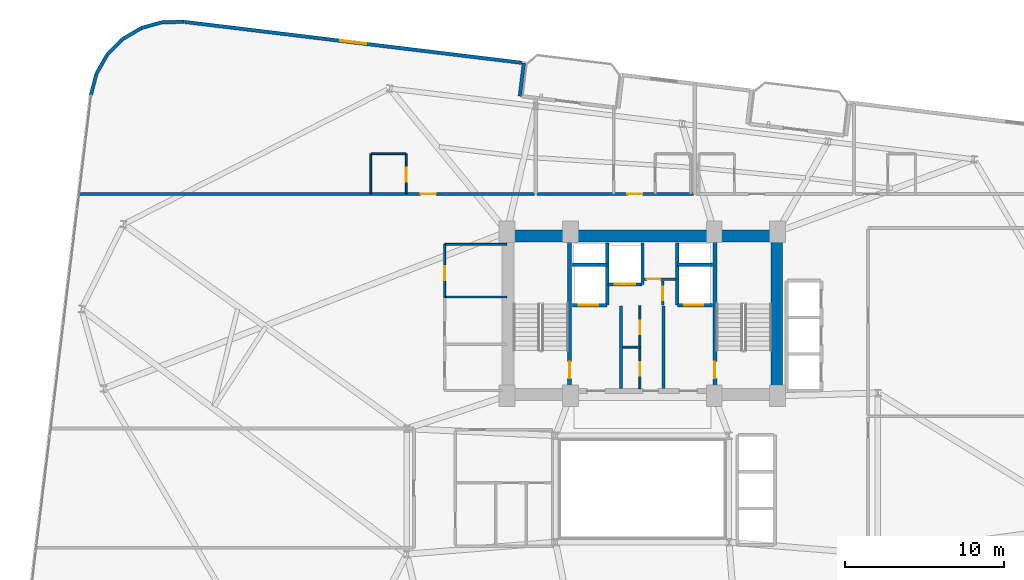
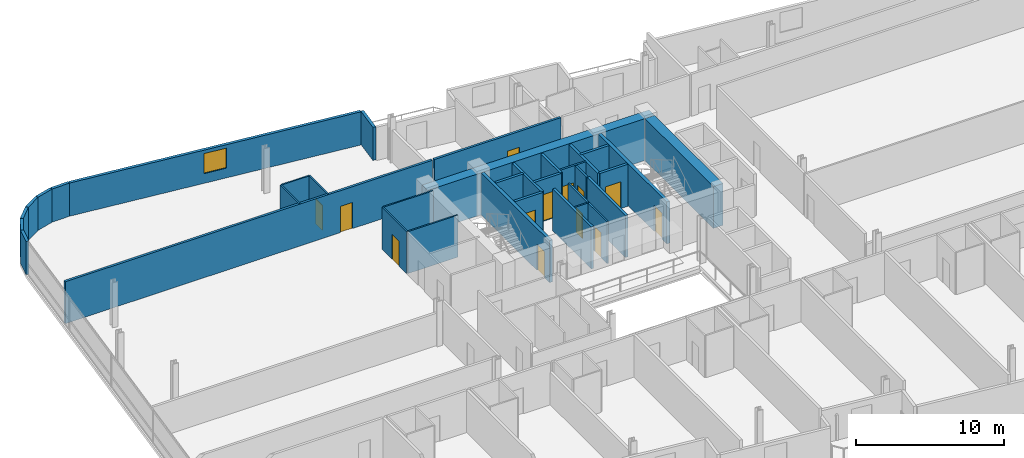
# One storey, part 22 of 26: 34 walls, 13 doors, 1 window, 14 openings.
"""IFC4 building model written with IfcOpenShell, lengths in metres."""

from ifc_helpers import new_model, si_unit, direction, frame, frame_2d, origin, place, context, subcontext, project, spatial, rectangle, extrude, material, layer, layer_set, type_object, element, fill, save


model = new_model("IFC4")

# Units and contexts
model_context = context("Model", 3, precision=1e-05, world=origin(), true_north=direction((0.0, 1.0)))
body_context = subcontext(model_context, "Body", "Model", "MODEL_VIEW")
ifc_project = project(units=[si_unit("LENGTHUNIT", "METRE"), si_unit("AREAUNIT", "SQUARE_METRE"), si_unit("VOLUMEUNIT", "CUBIC_METRE"), si_unit("PLANEANGLEUNIT", "RADIAN"), si_unit("MASSUNIT", "GRAM", prefix="KILO")], contexts=[model_context])

# Site, building, storey
site_placement = place(None, origin())
site = spatial("IfcSite", under=ifc_project, at=site_placement, CompositionType="ELEMENT")
building_placement = place(site_placement, origin())
building = spatial("IfcBuilding", under=site, at=building_placement, Name="Varnelok Gate Tower", CompositionType="ELEMENT")
storey_placement = place(building_placement, frame((0.0, 0.0, 129.10009765625)))
storey = spatial("IfcBuildingStorey", under=building, at=storey_placement, Name="L32", CompositionType="ELEMENT", Elevation=129.10009765625)

# Wall
ifc_material_1 = material(Name="Concrete C45/55", Category="concrete")
ifc_layer_1 = layer(ifc_material_1, 0.219970703125)
ifc_layer_set_1 = layer_set([ifc_layer_1], Name="Concrete C45/55")
wall_type_1 = type_object("IfcWallType", Name="EW-BALC-220", PredefinedType="SOLIDWALL", material=ifc_layer_set_1)
wall_1_placement = place(storey_placement, frame((31.50390625, 47.568115234375, 0.0), z_axis=(0.0, 0.0, 1.0), x_axis=(0.120341784665, 0.992732519294, 0.0)))
element("IfcWall", 1, at=wall_1_placement, inside=storey, type_object=wall_type_1, Name="L32 Perimeter Facade Closure Wall 31", PredefinedType="SOLIDWALL", context=body_context, shape_type="SweptSolid", body=[
    extrude(rectangle(XDim=2.099853515625, YDim=0.219970703125, at=frame_2d((1.0498046875, 0.0))), origin(), (0.0, 0.0, 1.0), 2.72998046875),
])

# Wall, opening, window
wall_2_placement = place(storey_placement, frame((31.632568359375, 49.667724609375, 0.0), z_axis=(0.0, 0.0, 1.0), x_axis=(-0.992731670483, 0.120348786531, 0.0)))
wall_2 = element("IfcWall", 2, at=wall_2_placement, inside=storey, type_object=wall_type_1, Name="L32 Perimeter Facade Closure Wall 32", PredefinedType="SOLIDWALL", context=body_context, shape_type="SweptSolid", body=[
    extrude(rectangle(XDim=21.34716796875, YDim=0.219970703125, at=frame_2d((10.673583984375, 0.0))), origin(), (0.0, 0.0, 1.0), 2.72998046875),
])
opening_1_placement = place(wall_2_placement, frame((9.8486328125, 0.0, 0.800048828125)))
opening_1 = element("IfcOpeningElement", 3, at=opening_1_placement, cuts=wall_2, Name="Opening WN3", PredefinedType="OPENING", context=body_context, shape_type="SweptSolid", body=[
    extrude(rectangle(XDim=1.64990234375, YDim=1.64990234375, at=frame_2d((0.824951171875, 0.824951171875))), frame((0.0, 0.119873046875, 0.0), z_axis=(0.0, -1.0, 0.0), x_axis=(1.0, 0.0, 0.0)), (0.0, 0.0, 1.0), 0.239990234375),
])
ifc_material_2 = material(Name="Low-E Laminated Double Glazing IGU", Category="glass")
window_type = type_object("IfcWindowType", Name="WN-HTL-1650", PartitioningType="SINGLE_PANEL", PredefinedType="WINDOW", material=ifc_material_2)
window_placement = place(opening_1_placement, origin())
window = element("IfcWindow", 4, at=window_placement, inside=storey, type_object=window_type, Name="L32 Perimeter Vision Window 32", OverallHeight=1.64990234375, OverallWidth=1.64990234375, PartitioningType="SINGLE_PANEL", PredefinedType="WINDOW", context=body_context, shape_type="SweptSolid", body=[
    extrude(rectangle(XDim=1.64990234375, YDim=1.64990234375, at=frame_2d((0.824951171875, 0.824951171875))), frame((0.0, 0.030029296875, 0.0), z_axis=(0.0, -1.0, 0.0), x_axis=(1.0, 0.0, 0.0)), (0.0, 0.0, 1.0), 0.06005859375),
])
fill(opening_1, window)

# Walls
wall_3_placement = place(storey_placement, frame((10.41552734375, 52.236572265625, 0.0), z_axis=(0.0, 0.0, 1.0), x_axis=(-0.999947718056, -0.010225514878, 0.0)))
element("IfcWall", 5, at=wall_3_placement, inside=storey, type_object=wall_type_1, Name="L32 Perimeter Facade Closure Wall 33", PredefinedType="SOLIDWALL", context=body_context, shape_type="SweptSolid", body=[
    extrude(rectangle(XDim=1.36083984375, YDim=0.219970703125, at=frame_2d((0.680419921875, 0.0))), origin(), (0.0, 0.0, 1.0), 2.72998046875),
])
for number, where, z_axis, x_axis, name in (
    (6, (9.030517578125, 52.2158203125, 0.0), (0.0, 0.0, 1.0), (-0.963227802828, -0.268686061898, 0.0), "L32 Perimeter Facade Closure Wall 34"),
    (7, (7.70556640625, 51.839599609375, 0.0), (0.0, 0.0, 1.0), (-0.860739665837, -0.509045408244, 0.0), "L32 Perimeter Facade Closure Wall 35"),
):
    element("IfcWall", number, at=place(storey_placement, frame(where, z_axis=z_axis, x_axis=x_axis)), inside=storey, type_object=wall_type_1, Name=name, PredefinedType="SOLIDWALL", context=body_context, shape_type="SweptSolid", body=[
        extrude(rectangle(XDim=1.35302734375, YDim=0.219970703125, at=frame_2d((0.676513671875, 0.0))), origin(), (0.0, 0.0, 1.0), 2.72998046875),
    ])
wall_4_placement = place(storey_placement, frame((6.5234375, 51.13330078125, 0.0), z_axis=(0.0, 0.0, 1.0), x_axis=(-0.699762925925, -0.714375144795, 0.0)))
element("IfcWall", 8, at=wall_4_placement, inside=storey, type_object=wall_type_1, Name="L32 Perimeter Facade Closure Wall 36", PredefinedType="SOLIDWALL", context=body_context, shape_type="SweptSolid", body=[
    extrude(rectangle(XDim=1.353271484375, YDim=0.219970703125, at=frame_2d((0.6767578125, 0.0))), origin(), (0.0, 0.0, 1.0), 2.72998046875),
])
wall_5_placement = place(storey_placement, frame((5.564208984375, 50.144775390625, 0.0), z_axis=(0.0, 0.0, 1.0), x_axis=(-0.491117621399, -0.871093268227, 0.0)))
element("IfcWall", 9, at=wall_5_placement, inside=storey, type_object=wall_type_1, Name="L32 Perimeter Facade Closure Wall 37", PredefinedType="SOLIDWALL", context=body_context, shape_type="SweptSolid", body=[
    extrude(rectangle(XDim=1.35302734375, YDim=0.219970703125, at=frame_2d((0.676513671875, 0.0))), origin(), (0.0, 0.0, 1.0), 2.72998046875),
])
wall_6_placement = place(storey_placement, frame((4.8935546875, 48.94189453125, 0.0), z_axis=(0.0, 0.0, 1.0), x_axis=(-0.248857256909, -0.968540172468, 0.0)))
element("IfcWall", 10, at=wall_6_placement, inside=storey, type_object=wall_type_1, Name="L32 Perimeter Facade Closure Wall 38", PredefinedType="SOLIDWALL", context=body_context, shape_type="SweptSolid", body=[
    extrude(rectangle(XDim=1.352783203125, YDim=0.219970703125, at=frame_2d((0.67626953125, 0.0))), origin(), (0.0, 0.0, 1.0), 2.72998046875),
])

# Wall, opening, door
ifc_material_3 = material(Name="Gypsum Plasterboard Acoustic Partition", Category="gypsum")
ifc_layer_2 = layer(ifc_material_3, 0.179931640625)
ifc_layer_set_2 = layer_set([ifc_layer_2], Name="Gypsum Plasterboard Acoustic Partition")
wall_type_2 = type_object("IfcWallType", Name="PW-CORR-180", PredefinedType="PARTITIONING", material=ifc_layer_set_2)
wall_7_placement = place(storey_placement, frame((3.864013671875, 41.429931640625, 0.0), z_axis=(0.0, 0.0, 1.0), x_axis=(1.0, 0.0, 0.0)))
wall_7 = element("IfcWall", 11, at=wall_7_placement, inside=storey, type_object=wall_type_2, Name="Interior Partition", PredefinedType="PARTITIONING", context=body_context, shape_type="SweptSolid", body=[
    extrude(rectangle(XDim=28.555908203125, YDim=0.179931640625, at=frame_2d((14.27783203125, 0.0))), origin(), (0.0, 0.0, 1.0), 3.449951171875),
])
opening_2_placement = place(wall_7_placement, frame((21.4091796875, 0.0, 0.0)))
opening_2 = element("IfcOpeningElement", 12, at=opening_2_placement, cuts=wall_7, Name="Opening D-HT", PredefinedType="OPENING", context=body_context, shape_type="SweptSolid", body=[
    extrude(rectangle(XDim=0.949951171875, YDim=2.14990234375, at=frame_2d((0.47509765625, 1.074951171875))), frame((0.0, 0.099853515625, 0.0), z_axis=(0.0, -1.0, 0.0), x_axis=(1.0, 0.0, 0.0)), (0.0, 0.0, 1.0), 0.199951171875),
])
ifc_material_4 = material(Name="Engineered Hardwood Timber", Category="wood")
door_type_1 = type_object("IfcDoorType", Name="DR-HTL-950", OperationType="NOTDEFINED", PredefinedType="DOOR", material=ifc_material_4)
door_1_placement = place(opening_2_placement, origin())
door_1 = element("IfcDoor", 13, at=door_1_placement, inside=storey, type_object=door_type_1, Name="L32 Guest Room 10 Entrance Door", OperationType="SINGLE_SWING_LEFT", OverallHeight=2.14990234375, OverallWidth=0.949951171875, PredefinedType="DOOR", context=body_context, shape_type="SweptSolid", body=[
    extrude(rectangle(XDim=0.949951171875, YDim=2.14990234375, at=frame_2d((0.47509765625, 1.074951171875))), frame((0.0, 0.02490234375, 0.0), z_axis=(0.0, -1.0, 0.0), x_axis=(1.0, 0.0, 0.0)), (0.0, 0.0, 1.0), 0.050048828125),
])
fill(opening_2, door_1)

wall_8_placement = place(storey_placement, frame((32.580078125, 41.429931640625, 0.0), z_axis=(0.0, 0.0, 1.0), x_axis=(1.0, 0.0, 0.0)))
wall_8 = element("IfcWall", 14, at=wall_8_placement, inside=storey, type_object=wall_type_2, Name="Interior Partition", PredefinedType="PARTITIONING", context=body_context, shape_type="SweptSolid", body=[
    extrude(rectangle(XDim=9.83984375, YDim=0.179931640625, at=frame_2d((4.919921875, 0.0))), origin(), (0.0, 0.0, 1.0), 3.449951171875),
])
opening_3_placement = place(wall_8_placement, frame((5.679931640625, 0.0, 0.0)))
opening_3 = element("IfcOpeningElement", 15, at=opening_3_placement, cuts=wall_8, Name="Opening D-HT", PredefinedType="OPENING", context=body_context, shape_type="SweptSolid", body=[
    extrude(rectangle(XDim=0.949951171875, YDim=2.14990234375, at=frame_2d((0.47509765625, 1.074951171875))), frame((0.0, 0.099853515625, 0.0), z_axis=(0.0, -1.0, 0.0), x_axis=(1.0, 0.0, 0.0)), (0.0, 0.0, 1.0), 0.199951171875),
])
door_2_placement = place(opening_3_placement, origin())
door_2 = element("IfcDoor", 16, at=door_2_placement, inside=storey, type_object=door_type_1, Name="L32 Guest Room 11 Entrance Door", OperationType="SINGLE_SWING_RIGHT", OverallHeight=2.14990234375, OverallWidth=0.949951171875, PredefinedType="DOOR", context=body_context, shape_type="SweptSolid", body=[
    extrude(rectangle(XDim=0.949951171875, YDim=2.14990234375, at=frame_2d((0.47509765625, 1.074951171875))), frame((0.0, 0.02490234375, 0.0), z_axis=(0.0, -1.0, 0.0), x_axis=(1.0, 0.0, 0.0)), (0.0, 0.0, 1.0), 0.050048828125),
])
fill(opening_3, door_2)

# Wall
ifc_layer_3 = layer(ifc_material_3, 0.114990234375)
ifc_layer_set_3 = layer_set([ifc_layer_3], Name="Gypsum Plasterboard Acoustic Partition")
wall_type_3 = type_object("IfcWallType", Name="PW-ENS-125", PredefinedType="PARTITIONING", material=ifc_layer_set_3)
wall_9_placement = place(storey_placement, frame((22.179931640625, 43.949951171875, 0.0), z_axis=(0.0, 0.0, 1.0), x_axis=(1.0, 0.0, 0.0)))
element("IfcWall", 17, at=wall_9_placement, inside=storey, type_object=wall_type_3, Name="Interior Partition", PredefinedType="PARTITIONING", context=body_context, shape_type="SweptSolid", body=[
    extrude(rectangle(XDim=2.150146484375, YDim=0.114990234375, at=frame_2d((1.0751953125, 0.0))), origin(), (0.0, 0.0, 1.0), 3.449951171875),
])

# Wall, opening, door
wall_10_placement = place(storey_placement, frame((24.3701171875, 41.429931640625, 0.0), z_axis=(0.0, 0.0, 1.0), x_axis=(0.0, 1.0, 0.0)))
wall_10 = element("IfcWall", 18, at=wall_10_placement, inside=storey, type_object=wall_type_3, Name="Interior Partition", PredefinedType="PARTITIONING", context=body_context, shape_type="SweptSolid", body=[
    extrude(rectangle(XDim=2.52001953125, YDim=0.114990234375, at=frame_2d((1.260009765625, 0.0))), origin(), (0.0, 0.0, 1.0), 3.449951171875),
])
opening_4_placement = place(wall_10_placement, frame((0.760009765625, 0.0, 0.0)))
opening_4 = element("IfcOpeningElement", 19, at=opening_4_placement, cuts=wall_10, Name="Opening D-WC", PredefinedType="OPENING", context=body_context, shape_type="SweptSolid", body=[
    extrude(rectangle(XDim=0.89990234375, YDim=2.050048828125, at=frame_2d((0.449951171875, 1.02490234375))), frame((0.0, 0.0673828125, 0.0), z_axis=(0.0, -1.0, 0.0), x_axis=(1.0, 0.0, 0.0)), (0.0, 0.0, 1.0), 0.135009765625),
])
door_type_2 = type_object("IfcDoorType", Name="DR-BATH-900", OperationType="NOTDEFINED", PredefinedType="DOOR", material=ifc_material_4)
door_3_placement = place(opening_4_placement, origin())
door_3 = element("IfcDoor", 20, at=door_3_placement, inside=storey, type_object=door_type_2, Name="L32 North En-Suite 10 Door", OperationType="SINGLE_SWING_RIGHT", OverallHeight=2.050048828125, OverallWidth=0.89990234375, PredefinedType="DOOR", context=body_context, shape_type="SweptSolid", body=[
    extrude(rectangle(XDim=0.89990234375, YDim=2.050048828125, at=frame_2d((0.449951171875, 1.02490234375))), frame((0.0, 0.02490234375, 0.0), z_axis=(0.0, -1.0, 0.0), x_axis=(1.0, 0.0, 0.0)), (0.0, 0.0, 1.0), 0.050048828125),
])
fill(opening_4, door_3)

# Walls
wall_11_placement = place(storey_placement, frame((22.139892578125, 41.429931640625, 0.0), z_axis=(0.0, 0.0, 1.0), x_axis=(0.0, 1.0, 0.0)))
element("IfcWall", 21, at=wall_11_placement, inside=storey, type_object=wall_type_3, Name="Interior Partition", PredefinedType="PARTITIONING", context=body_context, shape_type="SweptSolid", body=[
    extrude(rectangle(XDim=2.52001953125, YDim=0.114990234375, at=frame_2d((1.260009765625, 0.0))), origin(), (0.0, 0.0, 1.0), 3.449951171875),
])
wall_12_placement = place(storey_placement, frame((26.800048828125, 34.949951171875, 0.0), z_axis=(0.0, 0.0, 1.0), x_axis=(1.0, 0.0, 0.0)))
element("IfcWall", 22, at=wall_12_placement, inside=storey, type_object=wall_type_3, Name="Interior Partition", PredefinedType="PARTITIONING", context=body_context, shape_type="SweptSolid", body=[
    extrude(rectangle(XDim=3.8798828125, YDim=0.114990234375, at=frame_2d((1.93994140625, 0.0))), origin(), (0.0, 0.0, 1.0), 3.449951171875),
])
wall_13_placement = place(storey_placement, frame((26.780029296875, 38.260009765625, 0.0), z_axis=(0.0, 0.0, 1.0), x_axis=(1.0, 0.0, 0.0)))
element("IfcWall", 23, at=wall_13_placement, inside=storey, type_object=wall_type_3, Name="Interior Partition", PredefinedType="PARTITIONING", context=body_context, shape_type="SweptSolid", body=[
    extrude(rectangle(XDim=3.89990234375, YDim=0.114990234375, at=frame_2d((1.949951171875, 0.0))), origin(), (0.0, 0.0, 1.0), 3.449951171875),
])

# Wall, opening, door
wall_14_placement = place(storey_placement, frame((26.780029296875, 34.949951171875, 0.0), z_axis=(0.0, 0.0, 1.0), x_axis=(0.0, 1.0, 0.0)))
wall_14 = element("IfcWall", 24, at=wall_14_placement, inside=storey, type_object=wall_type_3, Name="Interior Partition", PredefinedType="PARTITIONING", context=body_context, shape_type="SweptSolid", body=[
    extrude(rectangle(XDim=3.31005859375, YDim=0.114990234375, at=frame_2d((1.655029296875, 0.0))), origin(), (0.0, 0.0, 1.0), 3.449951171875),
])
opening_5_placement = place(wall_14_placement, frame((1.050048828125, 0.0, 0.0)))
opening_5 = element("IfcOpeningElement", 25, at=opening_5_placement, cuts=wall_14, Name="Opening D-WC", PredefinedType="OPENING", context=body_context, shape_type="SweptSolid", body=[
    extrude(rectangle(XDim=0.89990234375, YDim=2.050048828125, at=frame_2d((0.449951171875, 1.02490234375))), frame((0.0, 0.0673828125, 0.0), z_axis=(0.0, -1.0, 0.0), x_axis=(1.0, 0.0, 0.0)), (0.0, 0.0, 1.0), 0.135009765625),
])
door_4_placement = place(opening_5_placement, origin())
door_4 = element("IfcDoor", 26, at=door_4_placement, inside=storey, type_object=door_type_2, Name="L32 Core Staff WC Door", OperationType="SINGLE_SWING_LEFT", OverallHeight=2.050048828125, OverallWidth=0.89990234375, PredefinedType="DOOR", context=body_context, shape_type="SweptSolid", body=[
    extrude(rectangle(XDim=0.89990234375, YDim=2.050048828125, at=frame_2d((0.449951171875, 1.02490234375))), frame((0.0, 0.02490234375, 0.0), z_axis=(0.0, -1.0, 0.0), x_axis=(1.0, 0.0, 0.0)), (0.0, 0.0, 1.0), 0.050048828125),
])
fill(opening_5, door_4)

# Wall
ifc_layer_4 = layer(ifc_material_3, 0.125)
ifc_layer_set_4 = layer_set([ifc_layer_4], Name="Gypsum Plasterboard Acoustic Partition")
wall_type_4 = type_object("IfcWallType", Name="PW-PART-125", PredefinedType="PARTITIONING", material=ifc_layer_set_4)
wall_15_placement = place(storey_placement, frame((37.9599609375, 31.800048828125, 0.0), z_axis=(0.0, 0.0, 1.0), x_axis=(1.0, 0.0, 0.0)))
element("IfcWall", 27, at=wall_15_placement, inside=storey, type_object=wall_type_4, Name="Interior Partition", PredefinedType="PARTITIONING", context=body_context, shape_type="SweptSolid", body=[
    extrude(rectangle(XDim=1.090087890625, YDim=0.125, at=frame_2d((0.544921875, 0.0))), origin(), (0.0, 0.0, 1.0), 3.449951171875),
])

# Wall, openings, doors
wall_16_placement = place(storey_placement, frame((39.050048828125, 29.199951171875, 0.0), z_axis=(0.0, 0.0, 1.0), x_axis=(0.0, 1.0, 0.0)))
wall_16 = element("IfcWall", 28, at=wall_16_placement, inside=storey, type_object=wall_type_4, Name="Interior Partition", PredefinedType="PARTITIONING", context=body_context, shape_type="SweptSolid", body=[
    extrude(rectangle(XDim=5.219970703125, YDim=0.125, at=frame_2d((2.60986328125, 0.0))), origin(), (0.0, 0.0, 1.0), 3.449951171875),
])
opening_6_placement = place(wall_16_placement, frame((0.800048828125, 0.0, 0.0)))
opening_6 = element("IfcOpeningElement", 29, at=opening_6_placement, cuts=wall_16, Name="Opening D-RS", PredefinedType="OPENING", context=body_context, shape_type="SweptSolid", body=[
    extrude(rectangle(XDim=0.85009765625, YDim=2.050048828125, at=frame_2d((0.425048828125, 1.02490234375))), frame((0.0, 0.072509765625, 0.0), z_axis=(0.0, -1.0, 0.0), x_axis=(1.0, 0.0, 0.0)), (0.0, 0.0, 1.0), 0.14501953125),
])
opening_7_placement = place(wall_16_placement, frame((3.39990234375, 0.0, 0.0)))
opening_7 = element("IfcOpeningElement", 30, at=opening_7_placement, cuts=wall_16, Name="Opening D-RS", PredefinedType="OPENING", context=body_context, shape_type="SweptSolid", body=[
    extrude(rectangle(XDim=0.85009765625, YDim=2.050048828125, at=frame_2d((0.425048828125, 1.02490234375))), frame((0.0, 0.072509765625, 0.0), z_axis=(0.0, -1.0, 0.0), x_axis=(1.0, 0.0, 0.0)), (0.0, 0.0, 1.0), 0.14501953125),
])
ifc_material_5 = material(Name="Galvanized Steel Grade S350GD", Category="steel")
door_type_3 = type_object("IfcDoorType", Name="DR-RISER-850", OperationType="NOTDEFINED", PredefinedType="DOOR", material=ifc_material_5)
door_5_placement = place(opening_6_placement, origin())
door_5 = element("IfcDoor", 31, at=door_5_placement, inside=storey, type_object=door_type_3, Name="L32 Housekeeping Linen Door", OperationType="SINGLE_SWING_LEFT", OverallHeight=2.050048828125, OverallWidth=0.85009765625, PredefinedType="DOOR", context=body_context, shape_type="SweptSolid", body=[
    extrude(rectangle(XDim=0.85009765625, YDim=2.050048828125, at=frame_2d((0.425048828125, 1.02490234375))), frame((0.0, 0.02490234375, 0.0), z_axis=(0.0, -1.0, 0.0), x_axis=(1.0, 0.0, 0.0)), (0.0, 0.0, 1.0), 0.050048828125),
])
fill(opening_6, door_5)
door_6_placement = place(opening_7_placement, origin())
door_6 = element("IfcDoor", 32, at=door_6_placement, inside=storey, type_object=door_type_3, Name="L32 Janitor Sink Door", OperationType="SINGLE_SWING_RIGHT", OverallHeight=2.050048828125, OverallWidth=0.85009765625, PredefinedType="DOOR", context=body_context, shape_type="SweptSolid", body=[
    extrude(rectangle(XDim=0.85009765625, YDim=2.050048828125, at=frame_2d((0.425048828125, 1.02490234375))), frame((0.0, 0.02490234375, 0.0), z_axis=(0.0, -1.0, 0.0), x_axis=(1.0, 0.0, 0.0)), (0.0, 0.0, 1.0), 0.050048828125),
])
fill(opening_7, door_6)

# Wall, opening, door
ifc_layer_5 = layer(ifc_material_3, 0.14990234375)
ifc_layer_set_5 = layer_set([ifc_layer_5], Name="Gypsum Plasterboard Acoustic Partition")
wall_type_5 = type_object("IfcWallType", Name="PW-PART-150", PredefinedType="PARTITIONING", material=ifc_layer_set_5)
wall_17_placement = place(storey_placement, frame((39.300048828125, 36.080078125, 0.0), z_axis=(0.0, 0.0, 1.0), x_axis=(1.0, 0.0, 0.0)))
wall_17 = element("IfcWall", 33, at=wall_17_placement, inside=storey, type_object=wall_type_5, Name="L32 Electrical Closet South Wall", PredefinedType="PARTITIONING", context=body_context, shape_type="SweptSolid", body=[
    extrude(rectangle(XDim=2.02001953125, YDim=0.14990234375, at=frame_2d((1.010009765625, 0.0))), origin(), (0.0, 0.0, 1.0), 3.449951171875),
])
opening_8_placement = place(wall_17_placement, frame((0.179931640625, 0.0, 0.0)))
opening_8 = element("IfcOpeningElement", 34, at=opening_8_placement, cuts=wall_17, Name="Opening D-RS", PredefinedType="OPENING", context=body_context, shape_type="SweptSolid", body=[
    extrude(rectangle(XDim=0.85009765625, YDim=2.050048828125, at=frame_2d((0.425048828125, 1.02490234375))), frame((0.0, 0.0849609375, 0.0), z_axis=(0.0, -1.0, 0.0), x_axis=(1.0, 0.0, 0.0)), (0.0, 0.0, 1.0), 0.169921875),
])
door_7_placement = place(opening_8_placement, origin())
door_7 = element("IfcDoor", 35, at=door_7_placement, inside=storey, type_object=door_type_3, Name="L32 Electrical Closet Door", OperationType="SINGLE_SWING_RIGHT", OverallHeight=2.050048828125, OverallWidth=0.85009765625, PredefinedType="DOOR", context=body_context, shape_type="SweptSolid", body=[
    extrude(rectangle(XDim=0.85009765625, YDim=2.050048828125, at=frame_2d((0.425048828125, 1.02490234375))), frame((0.0, 0.02490234375, 0.0), z_axis=(0.0, -1.0, 0.0), x_axis=(1.0, 0.0, 0.0)), (0.0, 0.0, 1.0), 0.050048828125),
])
fill(opening_8, door_7)

wall_18_placement = place(storey_placement, frame((40.47998046875, 34.43994140625, 0.0), z_axis=(0.0, 0.0, 1.0), x_axis=(0.0, 1.0, 0.0)))
wall_18 = element("IfcWall", 36, at=wall_18_placement, inside=storey, type_object=wall_type_5, Name="L32 Telecoms Closet West Wall", PredefinedType="PARTITIONING", context=body_context, shape_type="SweptSolid", body=[
    extrude(rectangle(XDim=1.52001953125, YDim=0.14990234375, at=frame_2d((0.760009765625, 0.0))), origin(), (0.0, 0.0, 1.0), 3.449951171875),
])
opening_9_placement = place(wall_18_placement, frame((0.320068359375, 0.0, 0.0)))
opening_9 = element("IfcOpeningElement", 37, at=opening_9_placement, cuts=wall_18, Name="Opening D-RS", PredefinedType="OPENING", context=body_context, shape_type="SweptSolid", body=[
    extrude(rectangle(XDim=0.85009765625, YDim=2.050048828125, at=frame_2d((0.425048828125, 1.02490234375))), frame((0.0, 0.0849609375, 0.0), z_axis=(0.0, -1.0, 0.0), x_axis=(1.0, 0.0, 0.0)), (0.0, 0.0, 1.0), 0.169921875),
])
door_8_placement = place(opening_9_placement, origin())
door_8 = element("IfcDoor", 38, at=door_8_placement, inside=storey, type_object=door_type_3, Name="L32 Telecoms Closet Door", OperationType="SINGLE_SWING_LEFT", OverallHeight=2.050048828125, OverallWidth=0.85009765625, PredefinedType="DOOR", context=body_context, shape_type="SweptSolid", body=[
    extrude(rectangle(XDim=0.85009765625, YDim=2.050048828125, at=frame_2d((0.425048828125, 1.02490234375))), frame((0.0, 0.02490234375, 0.0), z_axis=(0.0, -1.0, 0.0), x_axis=(1.0, 0.0, 0.0)), (0.0, 0.0, 1.0), 0.050048828125),
])
fill(opening_9, door_8)

# Walls
ifc_material_6 = material(Name="Concrete C35/45", Category="concrete")
ifc_layer_6 = layer(ifc_material_6, 0.199951171875)
ifc_layer_set_6 = layer_set([ifc_layer_6], Name="Concrete C35/45")
wall_type_6 = type_object("IfcWallType", Name="PW-SHAFT-200", PredefinedType="PARTITIONING", material=ifc_layer_set_6)
for number, where, z_axis, x_axis, name in (
    (39, (37.860107421875, 29.199951171875, 0.0), (0.0, 0.0, 1.0), (0.0, 1.0, 0.0), "L32 West FF Lobby Rated Wall"),
    (40, (40.5400390625, 29.199951171875, 0.0), (0.0, 0.0, 1.0), (0.0, 1.0, 0.0), "L32 East FF Lobby Rated Wall"),
):
    element("IfcWall", number, at=place(storey_placement, frame(where, z_axis=z_axis, x_axis=x_axis)), inside=storey, type_object=wall_type_6, Name=name, PredefinedType="PARTITIONING", context=body_context, shape_type="SweptSolid", body=[
        extrude(rectangle(XDim=5.179931640625, YDim=0.199951171875, at=frame_2d((2.58984375, 0.0))), origin(), (0.0, 0.0, 1.0), 3.449951171875),
    ])

# Wall, opening, door
wall_19_placement = place(storey_placement, frame((34.800048828125, 34.43994140625, 0.0), z_axis=(0.0, 0.0, 1.0), x_axis=(1.0, 0.0, 0.0)))
wall_19 = element("IfcWall", 41, at=wall_19_placement, inside=storey, type_object=wall_type_6, Name="L32 FF1 Shaft Front Wall", PredefinedType="PARTITIONING", context=body_context, shape_type="SweptSolid", body=[
    extrude(rectangle(XDim=2.179931640625, YDim=0.199951171875, at=frame_2d((1.08984375, 0.0))), origin(), (0.0, 0.0, 1.0), 3.449951171875),
])
opening_10_placement = place(wall_19_placement, frame((0.419921875, 0.0, 0.0)))
opening_10 = element("IfcOpeningElement", 42, at=opening_10_placement, cuts=wall_19, Name="Opening LD-FF1", PredefinedType="OPENING", context=body_context, shape_type="SweptSolid", body=[
    extrude(rectangle(XDim=1.199951171875, YDim=2.199951171875, at=frame_2d((0.60009765625, 1.10009765625))), frame((0.0, 0.10986328125, 0.0), z_axis=(0.0, -1.0, 0.0), x_axis=(1.0, 0.0, 0.0)), (0.0, 0.0, 1.0), 0.219970703125),
])
door_type_4 = type_object("IfcDoorType", Name="DR-LIFT-FF1200", OperationType="SLIDING_TO_LEFT", PredefinedType="DOOR", material=ifc_material_5)
door_9_placement = place(opening_10_placement, origin())
door_9 = element("IfcDoor", 43, at=door_9_placement, inside=storey, type_object=door_type_4, Name="L32 Firefighting Lift Landing Door LD-FF1", OperationType="SLIDING_TO_LEFT", OverallHeight=2.199951171875, OverallWidth=1.199951171875, PredefinedType="DOOR", context=body_context, shape_type="SweptSolid", body=[
    extrude(rectangle(XDim=1.199951171875, YDim=2.199951171875, at=frame_2d((0.60009765625, 1.10009765625))), frame((0.0, 0.02490234375, 0.0), z_axis=(0.0, -1.0, 0.0), x_axis=(1.0, 0.0, 0.0)), (0.0, 0.0, 1.0), 0.050048828125),
])
fill(opening_10, door_9)

# Walls
wall_20_placement = place(storey_placement, frame((34.800048828125, 36.97998046875, 0.0), z_axis=(0.0, 0.0, 1.0), x_axis=(1.0, 0.0, 0.0)))
element("IfcWall", 44, at=wall_20_placement, inside=storey, type_object=wall_type_6, Name="L32 FF1 Shaft North Wall", PredefinedType="PARTITIONING", context=body_context, shape_type="SweptSolid", body=[
    extrude(rectangle(XDim=2.179931640625, YDim=0.199951171875, at=frame_2d((1.08984375, 0.0))), origin(), (0.0, 0.0, 1.0), 3.449951171875),
])
wall_21_placement = place(storey_placement, frame((37.0, 34.43994140625, 0.0), z_axis=(0.0, 0.0, 1.0), x_axis=(0.0, 1.0, 0.0)))
element("IfcWall", 45, at=wall_21_placement, inside=storey, type_object=wall_type_6, Name="L32 FF1 Shaft Side Wall", PredefinedType="PARTITIONING", context=body_context, shape_type="SweptSolid", body=[
    extrude(rectangle(XDim=3.900146484375, YDim=0.199951171875, at=frame_2d((1.9501953125, 0.0))), origin(), (0.0, 0.0, 1.0), 3.449951171875),
])

# Wall, opening, door
wall_22_placement = place(storey_placement, frame((41.419921875, 34.43994140625, 0.0), z_axis=(0.0, 0.0, 1.0), x_axis=(1.0, 0.0, 0.0)))
wall_22 = element("IfcWall", 46, at=wall_22_placement, inside=storey, type_object=wall_type_6, Name="L32 FF2 Shaft Front Wall", PredefinedType="PARTITIONING", context=body_context, shape_type="SweptSolid", body=[
    extrude(rectangle(XDim=2.18017578125, YDim=0.199951171875, at=frame_2d((1.090087890625, 0.0))), origin(), (0.0, 0.0, 1.0), 3.449951171875),
])
opening_11_placement = place(wall_22_placement, frame((0.419921875, 0.0, 0.0)))
opening_11 = element("IfcOpeningElement", 47, at=opening_11_placement, cuts=wall_22, Name="Opening LD-FF2", PredefinedType="OPENING", context=body_context, shape_type="SweptSolid", body=[
    extrude(rectangle(XDim=1.199951171875, YDim=2.199951171875, at=frame_2d((0.60009765625, 1.10009765625))), frame((0.0, 0.10986328125, 0.0), z_axis=(0.0, -1.0, 0.0), x_axis=(1.0, 0.0, 0.0)), (0.0, 0.0, 1.0), 0.219970703125),
])
door_10_placement = place(opening_11_placement, origin())
door_10 = element("IfcDoor", 48, at=door_10_placement, inside=storey, type_object=door_type_4, Name="L32 Firefighting Lift Landing Door LD-FF2", OperationType="SLIDING_TO_LEFT", OverallHeight=2.199951171875, OverallWidth=1.199951171875, PredefinedType="DOOR", context=body_context, shape_type="SweptSolid", body=[
    extrude(rectangle(XDim=1.199951171875, YDim=2.199951171875, at=frame_2d((0.60009765625, 1.10009765625))), frame((0.0, 0.02490234375, 0.0), z_axis=(0.0, -1.0, 0.0), x_axis=(1.0, 0.0, 0.0)), (0.0, 0.0, 1.0), 0.050048828125),
])
fill(opening_11, door_10)

# Walls
wall_23_placement = place(storey_placement, frame((41.419921875, 36.97998046875, 0.0), z_axis=(0.0, 0.0, 1.0), x_axis=(1.0, 0.0, 0.0)))
element("IfcWall", 49, at=wall_23_placement, inside=storey, type_object=wall_type_6, Name="L32 FF2 Shaft North Wall", PredefinedType="PARTITIONING", context=body_context, shape_type="SweptSolid", body=[
    extrude(rectangle(XDim=2.18017578125, YDim=0.199951171875, at=frame_2d((1.090087890625, 0.0))), origin(), (0.0, 0.0, 1.0), 3.449951171875),
])
wall_24_placement = place(storey_placement, frame((41.39990234375, 34.43994140625, 0.0), z_axis=(0.0, 0.0, 1.0), x_axis=(0.0, 1.0, 0.0)))
element("IfcWall", 50, at=wall_24_placement, inside=storey, type_object=wall_type_6, Name="L32 FF2 Shaft Side Wall", PredefinedType="PARTITIONING", context=body_context, shape_type="SweptSolid", body=[
    extrude(rectangle(XDim=3.900146484375, YDim=0.199951171875, at=frame_2d((1.9501953125, 0.0))), origin(), (0.0, 0.0, 1.0), 3.449951171875),
])

# Wall, opening, door
wall_25_placement = place(storey_placement, frame((37.06005859375, 35.75, 0.0), z_axis=(0.0, 0.0, 1.0), x_axis=(1.0, 0.0, 0.0)))
wall_25 = element("IfcWall", 51, at=wall_25_placement, inside=storey, type_object=wall_type_6, Name="L32 SV1 Shaft Front Wall", PredefinedType="PARTITIONING", context=body_context, shape_type="SweptSolid", body=[
    extrude(rectangle(XDim=2.119873046875, YDim=0.199951171875, at=frame_2d((1.06005859375, 0.0))), origin(), (0.0, 0.0, 1.0), 3.449951171875),
])
opening_12_placement = place(wall_25_placement, frame((0.39990234375, 0.0, 0.0)))
opening_12 = element("IfcOpeningElement", 52, at=opening_12_placement, cuts=wall_25, Name="Opening LD-SV1", PredefinedType="OPENING", context=body_context, shape_type="SweptSolid", body=[
    extrude(rectangle(XDim=1.300048828125, YDim=2.199951171875, at=frame_2d((0.64990234375, 1.10009765625))), frame((0.0, 0.10986328125, 0.0), z_axis=(0.0, -1.0, 0.0), x_axis=(1.0, 0.0, 0.0)), (0.0, 0.0, 1.0), 0.219970703125),
])
door_type_5 = type_object("IfcDoorType", Name="DR-LIFT-SV1300", OperationType="SLIDING_TO_LEFT", PredefinedType="DOOR", material=ifc_material_5)
door_11_placement = place(opening_12_placement, origin())
door_11 = element("IfcDoor", 53, at=door_11_placement, inside=storey, type_object=door_type_5, Name="L32 Service Lift Landing Door LD-SV1", OperationType="SLIDING_TO_LEFT", OverallHeight=2.199951171875, OverallWidth=1.300048828125, PredefinedType="DOOR", context=body_context, shape_type="SweptSolid", body=[
    extrude(rectangle(XDim=1.300048828125, YDim=2.199951171875, at=frame_2d((0.64990234375, 1.10009765625))), frame((0.0, 0.02490234375, 0.0), z_axis=(0.0, -1.0, 0.0), x_axis=(1.0, 0.0, 0.0)), (0.0, 0.0, 1.0), 0.050048828125),
])
fill(opening_12, door_11)

# Walls
wall_26_placement = place(storey_placement, frame((39.219970703125, 35.75, 0.0), z_axis=(0.0, 0.0, 1.0), x_axis=(0.0, 1.0, 0.0)))
element("IfcWall", 54, at=wall_26_placement, inside=storey, type_object=wall_type_6, Name="L32 SV1 Shaft East Wall", PredefinedType="PARTITIONING", context=body_context, shape_type="SweptSolid", body=[
    extrude(rectangle(XDim=2.590087890625, YDim=0.199951171875, at=frame_2d((1.294921875, 0.0))), origin(), (0.0, 0.0, 1.0), 3.449951171875),
])
ifc_material_7 = material(Name="Concrete C70/85", Category="concrete")
ifc_layer_7 = layer(ifc_material_7, 0.75)
ifc_layer_set_7 = layer_set([ifc_layer_7], Name="Concrete C70/85")
wall_type_7 = type_object("IfcWallType", Name="SW-CORE-750", PredefinedType="SHEAR", material=ifc_layer_set_7)
wall_27_placement = place(storey_placement, frame((30.3798828125, 38.794921875, 0.0), z_axis=(0.0, 0.0, 1.0), x_axis=(1.0, 0.0, 0.0)))
element("IfcWall", 55, at=wall_27_placement, inside=storey, type_object=wall_type_7, Name="L32 Rear Core North Shear Wall", PredefinedType="SHEAR", context=body_context, shape_type="SweptSolid", body=[
    extrude(rectangle(XDim=17.64013671875, YDim=0.75, at=frame_2d((8.820068359375, 0.0))), origin(), (0.0, 0.0, 1.0), 3.449951171875),
])
wall_28_placement = place(storey_placement, frame((47.64501953125, 29.199951171875, 0.0), z_axis=(0.0, 0.0, 1.0), x_axis=(0.0, 1.0, 0.0)))
element("IfcWall", 56, at=wall_28_placement, inside=storey, type_object=wall_type_7, Name="L32 Rear Core East Shear Wall", PredefinedType="SHEAR", context=body_context, shape_type="SweptSolid", body=[
    extrude(rectangle(XDim=9.219970703125, YDim=0.75, at=frame_2d((4.60986328125, 0.0))), origin(), (0.0, 0.0, 1.0), 3.449951171875),
])

# Wall, opening, door
ifc_material_8 = material(Name="Concrete C60/75", Category="concrete")
ifc_layer_8 = layer(ifc_material_8, 0.25)
ifc_layer_set_8 = layer_set([ifc_layer_8], Name="Concrete C60/75")
wall_type_8 = type_object("IfcWallType", Name="SW-SHAFT-250", PredefinedType="SHEAR", material=ifc_layer_set_8)
wall_29_placement = place(storey_placement, frame((34.639892578125, 29.199951171875, 0.0), z_axis=(0.0, 0.0, 1.0), x_axis=(0.0, 1.0, 0.0)))
wall_29 = element("IfcWall", 57, at=wall_29_placement, inside=storey, type_object=wall_type_8, Name="L32 Stair ST-1 East Shear Wall", PredefinedType="SHEAR", context=body_context, shape_type="SweptSolid", body=[
    extrude(rectangle(XDim=9.219970703125, YDim=0.25, at=frame_2d((4.60986328125, 0.0))), origin(), (0.0, 0.0, 1.0), 3.449951171875),
])
opening_13_placement = place(wall_29_placement, frame((0.64990234375, 0.0, 0.0)))
opening_13 = element("IfcOpeningElement", 58, at=opening_13_placement, cuts=wall_29, Name="Opening D-ST", PredefinedType="OPENING", context=body_context, shape_type="SweptSolid", body=[
    extrude(rectangle(XDim=1.050048828125, YDim=2.14990234375, at=frame_2d((0.52490234375, 1.074951171875))), frame((0.0, 0.135009765625, 0.0), z_axis=(0.0, -1.0, 0.0), x_axis=(1.0, 0.0, 0.0)), (0.0, 0.0, 1.0), 0.27001953125),
])
door_type_6 = type_object("IfcDoorType", Name="DR-STAIR-1050", OperationType="NOTDEFINED", PredefinedType="DOOR", material=ifc_material_5)
door_12_placement = place(opening_13_placement, origin())
door_12 = element("IfcDoor", 59, at=door_12_placement, inside=storey, type_object=door_type_6, Name="L32 Exit Stair ST-1 Fire Door", OperationType="SINGLE_SWING_LEFT", OverallHeight=2.14990234375, OverallWidth=1.050048828125, PredefinedType="DOOR", context=body_context, shape_type="SweptSolid", body=[
    extrude(rectangle(XDim=1.050048828125, YDim=2.14990234375, at=frame_2d((0.52490234375, 1.074951171875))), frame((0.0, 0.02490234375, 0.0), z_axis=(0.0, -1.0, 0.0), x_axis=(1.0, 0.0, 0.0)), (0.0, 0.0, 1.0), 0.050048828125),
])
fill(opening_13, door_12)

wall_30_placement = place(storey_placement, frame((43.760009765625, 29.199951171875, 0.0), z_axis=(0.0, 0.0, 1.0), x_axis=(0.0, 1.0, 0.0)))
wall_30 = element("IfcWall", 60, at=wall_30_placement, inside=storey, type_object=wall_type_8, Name="L32 Stair ST-2 West Shear Wall", PredefinedType="SHEAR", context=body_context, shape_type="SweptSolid", body=[
    extrude(rectangle(XDim=9.219970703125, YDim=0.25, at=frame_2d((4.60986328125, 0.0))), origin(), (0.0, 0.0, 1.0), 3.449951171875),
])
opening_14_placement = place(wall_30_placement, frame((0.64990234375, 0.0, 0.0)))
opening_14 = element("IfcOpeningElement", 61, at=opening_14_placement, cuts=wall_30, Name="Opening D-ST", PredefinedType="OPENING", context=body_context, shape_type="SweptSolid", body=[
    extrude(rectangle(XDim=1.050048828125, YDim=2.14990234375, at=frame_2d((0.52490234375, 1.074951171875))), frame((0.0, 0.135009765625, 0.0), z_axis=(0.0, -1.0, 0.0), x_axis=(1.0, 0.0, 0.0)), (0.0, 0.0, 1.0), 0.27001953125),
])
door_13_placement = place(opening_14_placement, origin())
door_13 = element("IfcDoor", 62, at=door_13_placement, inside=storey, type_object=door_type_6, Name="L32 Exit Stair ST-2 Fire Door", OperationType="SINGLE_SWING_RIGHT", OverallHeight=2.14990234375, OverallWidth=1.050048828125, PredefinedType="DOOR", context=body_context, shape_type="SweptSolid", body=[
    extrude(rectangle(XDim=1.050048828125, YDim=2.14990234375, at=frame_2d((0.52490234375, 1.074951171875))), frame((0.0, 0.02490234375, 0.0), z_axis=(0.0, -1.0, 0.0), x_axis=(1.0, 0.0, 0.0)), (0.0, 0.0, 1.0), 0.050048828125),
])
fill(opening_14, door_13)

save(model, "model.ifc")
